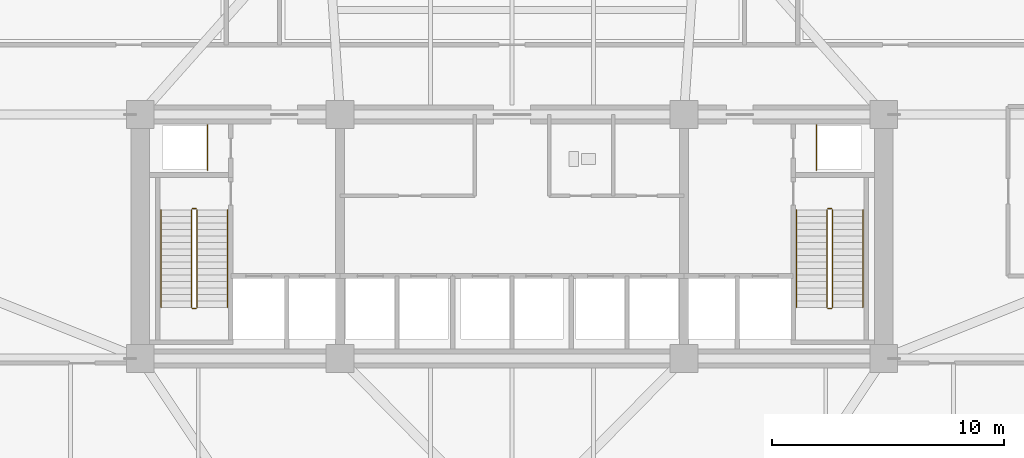
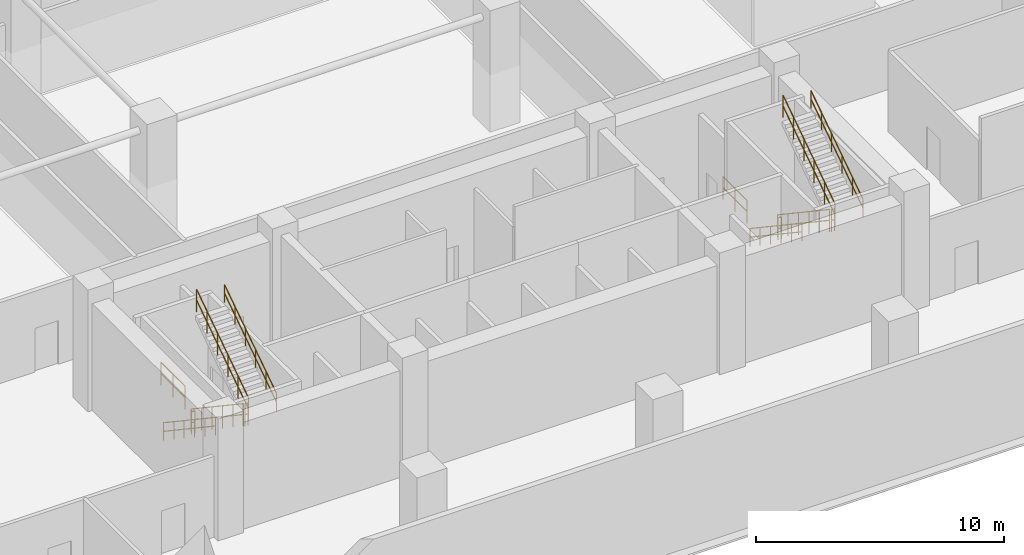
# One storey, part 14 of 16: 14 railings.
"""IFC4 building model written with IfcOpenShell, lengths in metres."""

from ifc_helpers import new_model, si_unit, direction, frame, origin, origin_2d, place, context, subcontext, project, spatial, circle, extrude, material, layer, layer_set, type_object, element, save


model = new_model("IFC4")

# Units and contexts
model_context = context("Model", 3, precision=1e-05, world=origin(), true_north=direction((0.0, 1.0)))
body_context = subcontext(model_context, "Body", "Model", "MODEL_VIEW")
ifc_project = project(units=[si_unit("LENGTHUNIT", "METRE"), si_unit("AREAUNIT", "SQUARE_METRE"), si_unit("VOLUMEUNIT", "CUBIC_METRE"), si_unit("PLANEANGLEUNIT", "RADIAN"), si_unit("MASSUNIT", "GRAM", prefix="KILO")], contexts=[model_context])

# Site, building, storey
site_placement = place(None, origin())
site = spatial("IfcSite", under=ifc_project, at=site_placement, CompositionType="ELEMENT")
building_placement = place(site_placement, origin())
building = spatial("IfcBuilding", under=site, at=building_placement, Name="Solmavex Isthmus Hotel", CompositionType="ELEMENT")
storey_placement = place(building_placement, frame((0.0, 0.0, 20.39990234375)))
storey = spatial("IfcBuildingStorey", under=building, at=storey_placement, Name="L05", CompositionType="ELEMENT", Elevation=20.39990234375)

# Railings
ifc_material_1 = material(Name="Clear low-E laminated glass", Category="glass")
ifc_layer_1 = layer(ifc_material_1, 0.080078125)
ifc_layer_set_1 = layer_set([ifc_layer_1], Name="Clear low-E laminated glass")
railing_type_1 = type_object("IfcRailingType", Name="RAIL-ATRIUM-1120", PredefinedType="BALUSTRADE", material=ifc_layer_set_1)
for number, where, name in (
    (1, (-13.10009765625, -4.89990234375, 0.0), "Guardrail Balustrade L05-RSW-01"),
    (2, (13.10009765625, -4.89990234375, 0.0), "Guardrail Balustrade L05-RSE-01"),
):
    element("IfcRailing", number, at=place(storey_placement, frame(where)), inside=storey, type_object=railing_type_1, Name=name, PredefinedType="BALUSTRADE", context=body_context, shape_type="SweptSolid", body=[
        extrude(circle(Radius=0.02392578125, at=origin_2d()), frame((0.0, 0.0, 1.1259765625), z_axis=(0.0, 1.0, 0.0), x_axis=(-1.0, 0.0, 0.0)), (0.0, 0.0, 1.0), 1.949951171875),
        extrude(circle(Radius=0.02392578125, at=origin_2d()), frame((0.0, 0.0, 0.574951171875), z_axis=(0.0, 1.0, 0.0), x_axis=(-1.0, 0.0, 0.0)), (0.0, 0.0, 1.0), 1.949951171875),
        extrude(circle(Radius=0.02099609375, at=origin_2d()), origin(), (0.0, 0.0, 1.0), 1.101806640625),
        extrude(circle(Radius=0.02099609375, at=origin_2d()), frame((0.0, 0.97509765625, 0.0)), (0.0, 0.0, 1.0), 1.101806640625),
        extrude(circle(Radius=0.02099609375, at=origin_2d()), frame((0.0, 1.949951171875, 0.0)), (0.0, 0.0, 1.0), 1.101806640625),
    ])
ifc_material_2 = material(Name="Stainless steel 316", Category="steel")
ifc_layer_2 = layer(ifc_material_2, 0.06005859375)
ifc_layer_set_2 = layer_set([ifc_layer_2], Name="Stainless steel 316")
railing_type_2 = type_object("IfcRailingType", Name="RAIL-STAIR-GD", PredefinedType="GUARDRAIL", material=ifc_layer_set_2)
railing_1_placement = place(storey_placement, frame((-13.800048828125, -6.60009765625, 0.1875)))
element("IfcRailing", 3, at=railing_1_placement, inside=storey, type_object=railing_type_2, Name="L05 ST-1 stair guard 1", PredefinedType="GUARDRAIL", context=body_context, shape_type="SweptSolid", body=[
    extrude(circle(Radius=0.02392578125, at=origin_2d()), frame((0.0, 0.0, 1.09619140625), z_axis=(0.0, -0.830904186295, 0.556415522067), x_axis=(1.0, 0.0, 0.0)), (0.0, 0.0, 1.0), 5.0546875),
    extrude(circle(Radius=0.02392578125, at=origin_2d()), frame((0.0, 0.0, 0.56005859375), z_axis=(0.0, -0.830904186295, 0.556415522067), x_axis=(1.0, 0.0, 0.0)), (0.0, 0.0, 1.0), 5.0546875),
    extrude(circle(Radius=0.02099609375, at=origin_2d()), origin(), (0.0, 0.0, 1.0), 1.072021484375),
    extrude(circle(Radius=0.02099609375, at=origin_2d()), frame((0.0, -0.840087890625, 0.5625)), (0.0, 0.0, 1.0), 1.072021484375),
    extrude(circle(Radius=0.02099609375, at=origin_2d()), frame((0.0, -1.679931640625, 1.125)), (0.0, 0.0, 1.0), 1.072021484375),
    extrude(circle(Radius=0.02099609375, at=origin_2d()), frame((0.0, -2.52001953125, 1.6875)), (0.0, 0.0, 1.0), 1.072021484375),
    extrude(circle(Radius=0.02099609375, at=origin_2d()), frame((0.0, -3.35986328125, 2.25)), (0.0, 0.0, 1.0), 1.072021484375),
    extrude(circle(Radius=0.02099609375, at=origin_2d()), frame((0.0, -4.199951171875, 2.8125)), (0.0, 0.0, 1.0), 1.072021484375),
])
railing_2_placement = place(storey_placement, frame((-13.75, -10.85009765625, 3.0)))
element("IfcRailing", 4, at=railing_2_placement, inside=storey, type_object=railing_type_2, Name="L05 ST-1 stair guard 2", PredefinedType="GUARDRAIL", context=body_context, shape_type="SweptSolid", body=[
    extrude(circle(Radius=0.02392578125, at=origin_2d()), frame((0.0, 0.0, 1.09619140625), z_axis=(1.0, 0.0, 0.0), x_axis=(0.0, 1.0, 0.0)), (0.0, 0.0, 1.0), 0.14990234375),
    extrude(circle(Radius=0.02392578125, at=origin_2d()), frame((0.0, 0.0, 0.56005859375), z_axis=(1.0, 0.0, 0.0), x_axis=(0.0, 1.0, 0.0)), (0.0, 0.0, 1.0), 0.14990234375),
    extrude(circle(Radius=0.02099609375, at=origin_2d()), origin(), (0.0, 0.0, 1.0), 1.072021484375),
    extrude(circle(Radius=0.02099609375, at=origin_2d()), frame((0.14990234375, 0.0, 0.0)), (0.0, 0.0, 1.0), 1.072021484375),
])
railing_3_placement = place(storey_placement, frame((-13.550048828125, -10.800048828125, 3.1875)))
element("IfcRailing", 5, at=railing_3_placement, inside=storey, type_object=railing_type_2, Name="L05 ST-1 stair guard 3", PredefinedType="GUARDRAIL", context=body_context, shape_type="SweptSolid", body=[
    extrude(circle(Radius=0.02392578125, at=origin_2d()), frame((0.0, 0.0, 1.09619140625), z_axis=(0.0, 0.830904186295, 0.556415522067), x_axis=(-1.0, 0.0, 0.0)), (0.0, 0.0, 1.0), 5.0546875),
    extrude(circle(Radius=0.02392578125, at=origin_2d()), frame((0.0, 0.0, 0.56005859375), z_axis=(0.0, 0.830904186295, 0.556415522067), x_axis=(-1.0, 0.0, 0.0)), (0.0, 0.0, 1.0), 5.0546875),
    extrude(circle(Radius=0.02099609375, at=origin_2d()), origin(), (0.0, 0.0, 1.0), 1.072021484375),
    extrude(circle(Radius=0.02099609375, at=origin_2d()), frame((0.0, 0.840087890625, 0.5625)), (0.0, 0.0, 1.0), 1.072021484375),
    extrude(circle(Radius=0.02099609375, at=origin_2d()), frame((0.0, 1.679931640625, 1.125)), (0.0, 0.0, 1.0), 1.072021484375),
    extrude(circle(Radius=0.02099609375, at=origin_2d()), frame((0.0, 2.52001953125, 1.6875)), (0.0, 0.0, 1.0), 1.072021484375),
    extrude(circle(Radius=0.02099609375, at=origin_2d()), frame((0.0, 3.35986328125, 2.25)), (0.0, 0.0, 1.0), 1.072021484375),
    extrude(circle(Radius=0.02099609375, at=origin_2d()), frame((0.0, 4.199951171875, 2.8125)), (0.0, 0.0, 1.0), 1.072021484375),
])
railing_4_placement = place(storey_placement, frame((-13.75, -6.550048828125, 0.0)))
element("IfcRailing", 6, at=railing_4_placement, inside=storey, type_object=railing_type_2, Name="L05 ST-1 stair guard 4", PredefinedType="GUARDRAIL", context=body_context, shape_type="SweptSolid", body=[
    extrude(circle(Radius=0.02392578125, at=origin_2d()), frame((0.0, 0.0, 1.09619140625), z_axis=(1.0, 0.0, 0.0), x_axis=(0.0, 1.0, 0.0)), (0.0, 0.0, 1.0), 0.14990234375),
    extrude(circle(Radius=0.02392578125, at=origin_2d()), frame((0.0, 0.0, 0.56005859375), z_axis=(1.0, 0.0, 0.0), x_axis=(0.0, 1.0, 0.0)), (0.0, 0.0, 1.0), 0.14990234375),
    extrude(circle(Radius=0.02099609375, at=origin_2d()), origin(), (0.0, 0.0, 1.0), 1.072021484375),
    extrude(circle(Radius=0.02099609375, at=origin_2d()), frame((0.14990234375, 0.0, 0.0)), (0.0, 0.0, 1.0), 1.072021484375),
])
railing_5_placement = place(storey_placement, frame((13.550048828125, -6.60009765625, 0.1875)))
element("IfcRailing", 7, at=railing_5_placement, inside=storey, type_object=railing_type_2, Name="L05 ST-2 stair guard 1", PredefinedType="GUARDRAIL", context=body_context, shape_type="SweptSolid", body=[
    extrude(circle(Radius=0.02392578125, at=origin_2d()), frame((0.0, 0.0, 1.09619140625), z_axis=(0.0, -0.830904186295, 0.556415522067), x_axis=(1.0, 0.0, 0.0)), (0.0, 0.0, 1.0), 5.0546875),
    extrude(circle(Radius=0.02392578125, at=origin_2d()), frame((0.0, 0.0, 0.56005859375), z_axis=(0.0, -0.830904186295, 0.556415522067), x_axis=(1.0, 0.0, 0.0)), (0.0, 0.0, 1.0), 5.0546875),
    extrude(circle(Radius=0.02099609375, at=origin_2d()), origin(), (0.0, 0.0, 1.0), 1.072021484375),
    extrude(circle(Radius=0.02099609375, at=origin_2d()), frame((0.0, -0.840087890625, 0.5625)), (0.0, 0.0, 1.0), 1.072021484375),
    extrude(circle(Radius=0.02099609375, at=origin_2d()), frame((0.0, -1.679931640625, 1.125)), (0.0, 0.0, 1.0), 1.072021484375),
    extrude(circle(Radius=0.02099609375, at=origin_2d()), frame((0.0, -2.52001953125, 1.6875)), (0.0, 0.0, 1.0), 1.072021484375),
    extrude(circle(Radius=0.02099609375, at=origin_2d()), frame((0.0, -3.35986328125, 2.25)), (0.0, 0.0, 1.0), 1.072021484375),
    extrude(circle(Radius=0.02099609375, at=origin_2d()), frame((0.0, -4.199951171875, 2.8125)), (0.0, 0.0, 1.0), 1.072021484375),
])
railing_6_placement = place(storey_placement, frame((13.60009765625, -10.85009765625, 3.0)))
element("IfcRailing", 8, at=railing_6_placement, inside=storey, type_object=railing_type_2, Name="L05 ST-2 stair guard 2", PredefinedType="GUARDRAIL", context=body_context, shape_type="SweptSolid", body=[
    extrude(circle(Radius=0.02392578125, at=origin_2d()), frame((0.0, 0.0, 1.09619140625), z_axis=(1.0, 0.0, 0.0), x_axis=(0.0, 1.0, 0.0)), (0.0, 0.0, 1.0), 0.14990234375),
    extrude(circle(Radius=0.02392578125, at=origin_2d()), frame((0.0, 0.0, 0.56005859375), z_axis=(1.0, 0.0, 0.0), x_axis=(0.0, 1.0, 0.0)), (0.0, 0.0, 1.0), 0.14990234375),
    extrude(circle(Radius=0.02099609375, at=origin_2d()), origin(), (0.0, 0.0, 1.0), 1.072021484375),
    extrude(circle(Radius=0.02099609375, at=origin_2d()), frame((0.14990234375, 0.0, 0.0)), (0.0, 0.0, 1.0), 1.072021484375),
])
railing_7_placement = place(storey_placement, frame((13.800048828125, -10.800048828125, 3.1875)))
element("IfcRailing", 9, at=railing_7_placement, inside=storey, type_object=railing_type_2, Name="L05 ST-2 stair guard 3", PredefinedType="GUARDRAIL", context=body_context, shape_type="SweptSolid", body=[
    extrude(circle(Radius=0.02392578125, at=origin_2d()), frame((0.0, 0.0, 1.09619140625), z_axis=(0.0, 0.830904186295, 0.556415522067), x_axis=(-1.0, 0.0, 0.0)), (0.0, 0.0, 1.0), 5.0546875),
    extrude(circle(Radius=0.02392578125, at=origin_2d()), frame((0.0, 0.0, 0.56005859375), z_axis=(0.0, 0.830904186295, 0.556415522067), x_axis=(-1.0, 0.0, 0.0)), (0.0, 0.0, 1.0), 5.0546875),
    extrude(circle(Radius=0.02099609375, at=origin_2d()), origin(), (0.0, 0.0, 1.0), 1.072021484375),
    extrude(circle(Radius=0.02099609375, at=origin_2d()), frame((0.0, 0.840087890625, 0.5625)), (0.0, 0.0, 1.0), 1.072021484375),
    extrude(circle(Radius=0.02099609375, at=origin_2d()), frame((0.0, 1.679931640625, 1.125)), (0.0, 0.0, 1.0), 1.072021484375),
    extrude(circle(Radius=0.02099609375, at=origin_2d()), frame((0.0, 2.52001953125, 1.6875)), (0.0, 0.0, 1.0), 1.072021484375),
    extrude(circle(Radius=0.02099609375, at=origin_2d()), frame((0.0, 3.35986328125, 2.25)), (0.0, 0.0, 1.0), 1.072021484375),
    extrude(circle(Radius=0.02099609375, at=origin_2d()), frame((0.0, 4.199951171875, 2.8125)), (0.0, 0.0, 1.0), 1.072021484375),
])
railing_8_placement = place(storey_placement, frame((13.60009765625, -6.550048828125, 0.0)))
element("IfcRailing", 10, at=railing_8_placement, inside=storey, type_object=railing_type_2, Name="L05 ST-2 stair guard 4", PredefinedType="GUARDRAIL", context=body_context, shape_type="SweptSolid", body=[
    extrude(circle(Radius=0.02392578125, at=origin_2d()), frame((0.0, 0.0, 1.09619140625), z_axis=(1.0, 0.0, 0.0), x_axis=(0.0, 1.0, 0.0)), (0.0, 0.0, 1.0), 0.14990234375),
    extrude(circle(Radius=0.02392578125, at=origin_2d()), frame((0.0, 0.0, 0.56005859375), z_axis=(1.0, 0.0, 0.0), x_axis=(0.0, 1.0, 0.0)), (0.0, 0.0, 1.0), 0.14990234375),
    extrude(circle(Radius=0.02099609375, at=origin_2d()), origin(), (0.0, 0.0, 1.0), 1.072021484375),
    extrude(circle(Radius=0.02099609375, at=origin_2d()), frame((0.14990234375, 0.0, 0.0)), (0.0, 0.0, 1.0), 1.072021484375),
])
ifc_layer_3 = layer(ifc_material_2, 0.050048828125)
ifc_layer_set_3 = layer_set([ifc_layer_3], Name="Stainless steel 316")
railing_type_3 = type_object("IfcRailingType", Name="RAIL-STAIR-HR", PredefinedType="HANDRAIL", material=ifc_layer_set_3)
railing_9_placement = place(storey_placement, frame((-15.10009765625, -6.60009765625, 0.1875)))
element("IfcRailing", 11, at=railing_9_placement, inside=storey, type_object=railing_type_3, Name="L05 ST-1 stair handrail 1", PredefinedType="HANDRAIL", context=body_context, shape_type="SweptSolid", body=[
    extrude(circle(Radius=0.02392578125, at=origin_2d()), frame((0.0, 0.0, 0.8759765625), z_axis=(0.0, -0.830904186295, 0.556415522067), x_axis=(1.0, 0.0, 0.0)), (0.0, 0.0, 1.0), 5.0546875),
    extrude(circle(Radius=0.02392578125, at=origin_2d()), frame((0.0, 0.0, 0.449951171875), z_axis=(0.0, -0.830904186295, 0.556415522067), x_axis=(1.0, 0.0, 0.0)), (0.0, 0.0, 1.0), 5.0546875),
    extrude(circle(Radius=0.02099609375, at=origin_2d()), origin(), (0.0, 0.0, 1.0), 0.851806640625),
    extrude(circle(Radius=0.02099609375, at=origin_2d()), frame((0.0, -0.840087890625, 0.5625)), (0.0, 0.0, 1.0), 0.851806640625),
    extrude(circle(Radius=0.02099609375, at=origin_2d()), frame((0.0, -1.679931640625, 1.125)), (0.0, 0.0, 1.0), 0.851806640625),
    extrude(circle(Radius=0.02099609375, at=origin_2d()), frame((0.0, -2.52001953125, 1.6875)), (0.0, 0.0, 1.0), 0.851806640625),
    extrude(circle(Radius=0.02099609375, at=origin_2d()), frame((0.0, -3.35986328125, 2.25)), (0.0, 0.0, 1.0), 0.851806640625),
    extrude(circle(Radius=0.02099609375, at=origin_2d()), frame((0.0, -4.199951171875, 2.8125)), (0.0, 0.0, 1.0), 0.851806640625),
])
railing_10_placement = place(storey_placement, frame((-12.25, -10.800048828125, 3.1875)))
element("IfcRailing", 12, at=railing_10_placement, inside=storey, type_object=railing_type_3, Name="L05 ST-1 stair handrail 2", PredefinedType="HANDRAIL", context=body_context, shape_type="SweptSolid", body=[
    extrude(circle(Radius=0.02392578125, at=origin_2d()), frame((0.0, 0.0, 0.8759765625), z_axis=(0.0, 0.830904186295, 0.556415522067), x_axis=(-1.0, 0.0, 0.0)), (0.0, 0.0, 1.0), 5.0546875),
    extrude(circle(Radius=0.02392578125, at=origin_2d()), frame((0.0, 0.0, 0.449951171875), z_axis=(0.0, 0.830904186295, 0.556415522067), x_axis=(-1.0, 0.0, 0.0)), (0.0, 0.0, 1.0), 5.0546875),
    extrude(circle(Radius=0.02099609375, at=origin_2d()), origin(), (0.0, 0.0, 1.0), 0.851806640625),
    extrude(circle(Radius=0.02099609375, at=origin_2d()), frame((0.0, 0.840087890625, 0.5625)), (0.0, 0.0, 1.0), 0.851806640625),
    extrude(circle(Radius=0.02099609375, at=origin_2d()), frame((0.0, 1.679931640625, 1.125)), (0.0, 0.0, 1.0), 0.851806640625),
    extrude(circle(Radius=0.02099609375, at=origin_2d()), frame((0.0, 2.52001953125, 1.6875)), (0.0, 0.0, 1.0), 0.851806640625),
    extrude(circle(Radius=0.02099609375, at=origin_2d()), frame((0.0, 3.35986328125, 2.25)), (0.0, 0.0, 1.0), 0.851806640625),
    extrude(circle(Radius=0.02099609375, at=origin_2d()), frame((0.0, 4.199951171875, 2.8125)), (0.0, 0.0, 1.0), 0.851806640625),
])
railing_11_placement = place(storey_placement, frame((12.25, -6.60009765625, 0.1875)))
element("IfcRailing", 13, at=railing_11_placement, inside=storey, type_object=railing_type_3, Name="L05 ST-2 stair handrail 1", PredefinedType="HANDRAIL", context=body_context, shape_type="SweptSolid", body=[
    extrude(circle(Radius=0.02392578125, at=origin_2d()), frame((0.0, 0.0, 0.8759765625), z_axis=(0.0, -0.830904186295, 0.556415522067), x_axis=(1.0, 0.0, 0.0)), (0.0, 0.0, 1.0), 5.0546875),
    extrude(circle(Radius=0.02392578125, at=origin_2d()), frame((0.0, 0.0, 0.449951171875), z_axis=(0.0, -0.830904186295, 0.556415522067), x_axis=(1.0, 0.0, 0.0)), (0.0, 0.0, 1.0), 5.0546875),
    extrude(circle(Radius=0.02099609375, at=origin_2d()), origin(), (0.0, 0.0, 1.0), 0.851806640625),
    extrude(circle(Radius=0.02099609375, at=origin_2d()), frame((0.0, -0.840087890625, 0.5625)), (0.0, 0.0, 1.0), 0.851806640625),
    extrude(circle(Radius=0.02099609375, at=origin_2d()), frame((0.0, -1.679931640625, 1.125)), (0.0, 0.0, 1.0), 0.851806640625),
    extrude(circle(Radius=0.02099609375, at=origin_2d()), frame((0.0, -2.52001953125, 1.6875)), (0.0, 0.0, 1.0), 0.851806640625),
    extrude(circle(Radius=0.02099609375, at=origin_2d()), frame((0.0, -3.35986328125, 2.25)), (0.0, 0.0, 1.0), 0.851806640625),
    extrude(circle(Radius=0.02099609375, at=origin_2d()), frame((0.0, -4.199951171875, 2.8125)), (0.0, 0.0, 1.0), 0.851806640625),
])
railing_12_placement = place(storey_placement, frame((15.10009765625, -10.800048828125, 3.1875)))
element("IfcRailing", 14, at=railing_12_placement, inside=storey, type_object=railing_type_3, Name="L05 ST-2 stair handrail 2", PredefinedType="HANDRAIL", context=body_context, shape_type="SweptSolid", body=[
    extrude(circle(Radius=0.02392578125, at=origin_2d()), frame((0.0, 0.0, 0.8759765625), z_axis=(0.0, 0.830904186295, 0.556415522067), x_axis=(-1.0, 0.0, 0.0)), (0.0, 0.0, 1.0), 5.0546875),
    extrude(circle(Radius=0.02392578125, at=origin_2d()), frame((0.0, 0.0, 0.449951171875), z_axis=(0.0, 0.830904186295, 0.556415522067), x_axis=(-1.0, 0.0, 0.0)), (0.0, 0.0, 1.0), 5.0546875),
    extrude(circle(Radius=0.02099609375, at=origin_2d()), origin(), (0.0, 0.0, 1.0), 0.851806640625),
    extrude(circle(Radius=0.02099609375, at=origin_2d()), frame((0.0, 0.840087890625, 0.5625)), (0.0, 0.0, 1.0), 0.851806640625),
    extrude(circle(Radius=0.02099609375, at=origin_2d()), frame((0.0, 1.679931640625, 1.125)), (0.0, 0.0, 1.0), 0.851806640625),
    extrude(circle(Radius=0.02099609375, at=origin_2d()), frame((0.0, 2.52001953125, 1.6875)), (0.0, 0.0, 1.0), 0.851806640625),
    extrude(circle(Radius=0.02099609375, at=origin_2d()), frame((0.0, 3.35986328125, 2.25)), (0.0, 0.0, 1.0), 0.851806640625),
    extrude(circle(Radius=0.02099609375, at=origin_2d()), frame((0.0, 4.199951171875, 2.8125)), (0.0, 0.0, 1.0), 0.851806640625),
])

save(model, "model.ifc")
